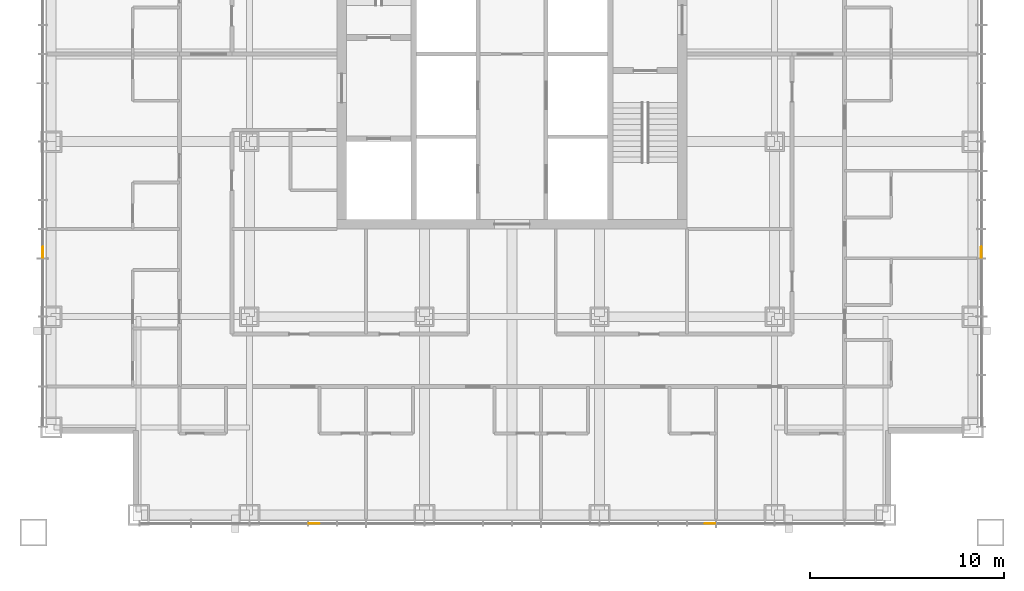
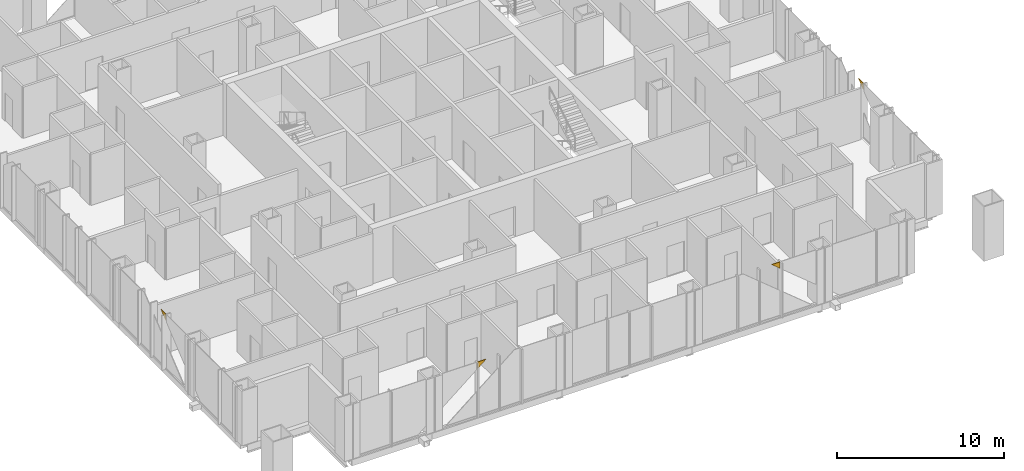
# One storey, part 15 of 16: 4 coverings.
"""IFC4 building model written with IfcOpenShell, lengths in metres."""

from ifc_helpers import new_model, si_unit, direction, frame, origin, place, context, subcontext, project, spatial, polyline, outline, extrude, material, layer, layer_set, type_object, element, save


model = new_model("IFC4")

# Units and contexts
model_context = context("Model", 3, precision=1e-05, world=origin(), true_north=direction((0.0, 1.0)))
body_context = subcontext(model_context, "Body", "Model", "MODEL_VIEW")
ifc_project = project(units=[si_unit("LENGTHUNIT", "METRE"), si_unit("AREAUNIT", "SQUARE_METRE"), si_unit("VOLUMEUNIT", "CUBIC_METRE"), si_unit("PLANEANGLEUNIT", "RADIAN"), si_unit("MASSUNIT", "GRAM", prefix="KILO")], contexts=[model_context])

# Site, building, storey
site_placement = place(None, origin())
site = spatial("IfcSite", under=ifc_project, at=site_placement, CompositionType="ELEMENT")
building_placement = place(site_placement, origin())
building = spatial("IfcBuilding", under=site, at=building_placement, Name="Malebo Sky Hospital", CompositionType="ELEMENT")
storey_placement = place(building_placement, frame((0.0, 0.0, 108.0)))
storey = spatial("IfcBuildingStorey", under=building, at=storey_placement, Name="L25", CompositionType="ELEMENT", Elevation=108.0)

# Coverings
ifc_material = material(Name="Anodised aluminium, natural silver insulated infill panel", Category="aluminium")
ifc_layer = layer(ifc_material, 0.0400390625)
ifc_layer_set = layer_set([ifc_layer], Name="BRACE INFILL PANEL 40")
covering_type = type_object("IfcCoveringType", Name="BRACE INFILL PANEL 40", PredefinedType="CLADDING", material=ifc_layer_set)
for number, where, z_axis, x_axis, name in (
    (1, (35.864990234375, 51.8271484375, 3.5126953125), (0.0, 0.0, 1.0), (0.0, 1.0, 0.0), "Brace infill panel 4.1"),
    (2, (70.1728515625, 37.864990234375, 3.5126953125), (0.0, 0.0, 1.0), (-1.0, 0.0, 0.0), "Brace infill panel 4.1"),
):
    element("IfcCovering", number, at=place(storey_placement, frame(where, z_axis=z_axis, x_axis=x_axis)), inside=storey, type_object=covering_type, Name=name, PredefinedType="CLADDING", context=body_context, shape_type="SweptSolid", body=[
        extrude(outline(polyline([(-0.28955078125, 0.0), (0.28955078125, 0.477294921875), (-0.28955078125, 0.477294921875), (-0.28955078125, 0.0)])), frame((0.0, 0.02001953125, 0.0), z_axis=(0.0, -1.0, 0.0), x_axis=(1.0, 0.0, 0.0)), (0.0, 0.0, 1.0), 0.0400390625),
    ])
for number, where, z_axis, x_axis, name in (
    (3, (49.8271484375, 37.864990234375, 3.5126953125), (0.0, 0.0, 1.0), (-1.0, 0.0, 0.0), "Brace infill panel 13.1"),
    (4, (84.135009765625, 51.8271484375, 3.5126953125), (0.0, 0.0, 1.0), (0.0, -1.0, 0.0), "Brace infill panel 14.1"),
):
    element("IfcCovering", number, at=place(storey_placement, frame(where, z_axis=z_axis, x_axis=x_axis)), inside=storey, type_object=covering_type, Name=name, PredefinedType="CLADDING", context=body_context, shape_type="SweptSolid", body=[
        extrude(outline(polyline([(0.28955078125, 0.0), (0.28955078125, 0.477294921875), (-0.28955078125, 0.477294921875), (0.28955078125, 0.0)])), frame((0.0, 0.02001953125, 0.0), z_axis=(0.0, -1.0, 0.0), x_axis=(1.0, 0.0, 0.0)), (0.0, 0.0, 1.0), 0.0400390625),
    ])

save(model, "model.ifc")
